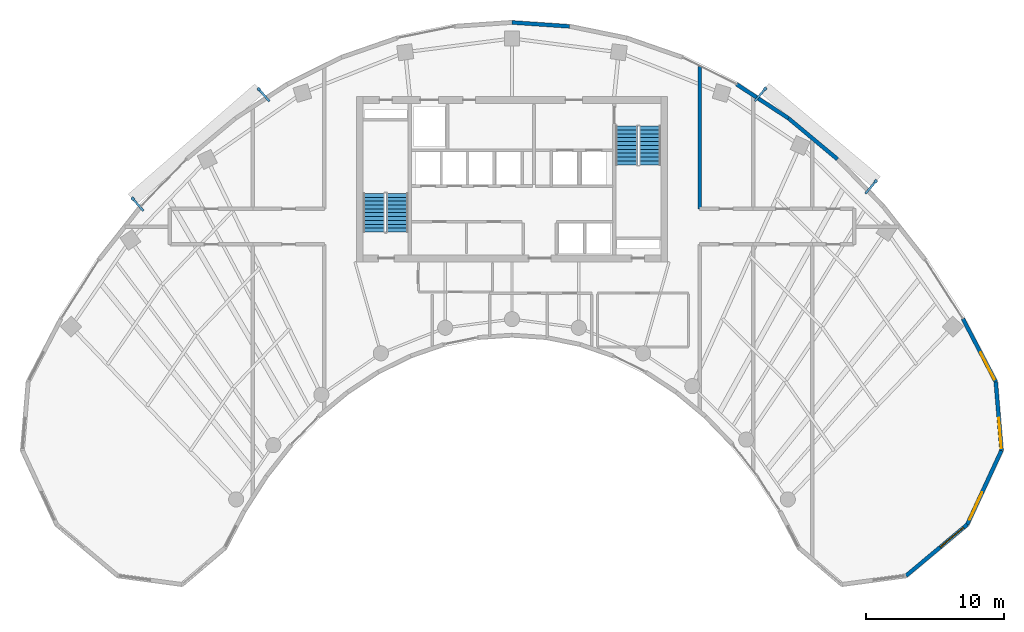
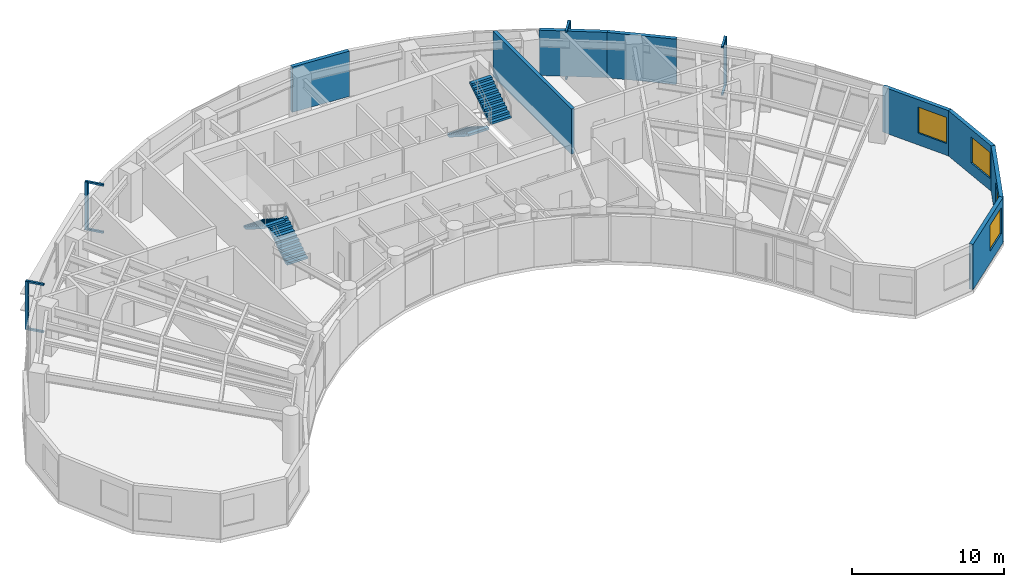
# One storey, part 11 of 13: 12 discrete accessories, 8 walls, 4 stair flights, 4 windows, 4 openings, 2 elements without a shape of their own.
"""IFC4 building model written with IfcOpenShell, lengths in metres."""

import ifcopenshell
import ifcopenshell.guid

model = None  # the IFC model being written
_history = None  # IfcOwnerHistory: only IFC2X3 demands one
_inside = {}  # id of a spatial element -> (the spatial element, [elements in it])
_under = {}  # id of a project, library or spatial element -> (it, [spatial elements below it])
_declared = {}  # id of a project -> (the project, [libraries it declares])
_typed = {}  # id of a type object -> (the type object, [elements of that type])
_made_of = {}  # id of a material, layer set ... -> (it, [elements and type objects made of it])


def new_model(schema):
    """Start an empty IFC model of exactly this schema.

    Asked for "IFC4X3", IfcOpenShell would pick the latest addendum, in which some entities
    have other attributes; the version numbers below select the first issue.
    IFC2X3 requires an IfcOwnerHistory on every rooted entity: one is made here for all.
    """
    global model, _history
    if schema == "IFC4X3":
        model = ifcopenshell.file(schema_version=(4, 3, 0, 0))
    else:
        model = ifcopenshell.file(schema=schema)
    _inside.clear()
    _under.clear()
    _declared.clear()
    _typed.clear()
    _made_of.clear()
    _history = None
    if model.schema == "IFC2X3":
        org = make("IfcOrganization", Name="unknown")
        user = make(
            "IfcPersonAndOrganization",
            ThePerson=make("IfcPerson", FamilyName="unknown"),
            TheOrganization=org,
        )
        app = make(
            "IfcApplication",
            ApplicationDeveloper=org,
            Version="unknown",
            ApplicationFullName="unknown",
            ApplicationIdentifier="unknown",
        )
        _history = make(
            "IfcOwnerHistory",
            OwningUser=user,
            OwningApplication=app,
            ChangeAction="ADDED",
            CreationDate=0,
        )
    return model


def make(cls, **values):
    """One entity of the class cls with the attributes given. An attribute that is None is left unset."""
    return model.create_entity(
        cls, **{name: value for name, value in values.items() if value is not None}
    )


def rooted(cls, **values):
    """An entity with a GlobalId (a new one), such as an element, a storey or a relation."""
    return make(cls, GlobalId=ifcopenshell.guid.new(), OwnerHistory=_history, **values)


def si_unit(unit_type, name, prefix=None):
    """IfcSIUnit, for example si_unit("LENGTHUNIT", "METRE", prefix="MILLI")."""
    return make("IfcSIUnit", UnitType=unit_type, Prefix=prefix, Name=name)


def assignment(units):
    """IfcUnitAssignment: the units of a project."""
    return None if units is None else make("IfcUnitAssignment", Units=units)


def point(xyz):
    """IfcCartesianPoint."""
    return None if xyz is None else make("IfcCartesianPoint", Coordinates=xyz)


def direction(xyz):
    """IfcDirection."""
    return None if xyz is None else make("IfcDirection", DirectionRatios=xyz)


def frame(location, z_axis=None, x_axis=None):
    """IfcAxis2Placement3D, a coordinate frame: its origin and axes. An axis left out is left unset."""
    return make(
        "IfcAxis2Placement3D",
        Location=point(location),
        Axis=direction(z_axis),
        RefDirection=direction(x_axis),
    )


def frame_2d(location, x_axis=None):
    """IfcAxis2Placement2D, a coordinate frame in the plane: its origin and x axis."""
    return make(
        "IfcAxis2Placement2D", Location=point(location), RefDirection=direction(x_axis)
    )


def origin():
    """The frame at (0, 0, 0) with its axes left unset."""
    return frame((0.0, 0.0, 0.0))


def origin_2d():
    """The frame at (0, 0) in the plane with its x axis left unset."""
    return frame_2d((0.0, 0.0))


def place(relative_to, where):
    """IfcLocalPlacement: puts the frame where relative to a parent placement (None: the world)."""
    return make(
        "IfcLocalPlacement", PlacementRelTo=relative_to, RelativePlacement=where
    )


def context(
    kind, dimensions, precision=None, world=None, true_north=None, identifier=None
):
    """IfcGeometricRepresentationContext, for example the 3D "Model" context."""
    return make(
        "IfcGeometricRepresentationContext",
        ContextIdentifier=identifier,
        ContextType=kind,
        CoordinateSpaceDimension=dimensions,
        Precision=precision,
        WorldCoordinateSystem=world,
        TrueNorth=true_north,
    )


def subcontext(parent, identifier, kind, view, scale=None):
    """IfcGeometricRepresentationSubContext, for example "Body" below "Model"."""
    return make(
        "IfcGeometricRepresentationSubContext",
        ContextIdentifier=identifier,
        ContextType=kind,
        ParentContext=parent,
        TargetScale=scale,
        TargetView=view,
    )


def project(units=None, contexts=None):
    """IfcProject with its units and contexts."""
    return rooted(
        "IfcProject",
        Name="project",
        RepresentationContexts=contexts,
        UnitsInContext=assignment(units),
    )


def spatial(cls, under=None, at=None, **own):
    """A site, building, storey or space (cls), placed at a placement, below another one or the project."""
    s = rooted(cls, ObjectPlacement=at, **own)
    if under is not None:
        _under.setdefault(under.id(), (under, []))[1].append(s)
    return s


def polyline(points):
    """IfcPolyline through the points."""
    return make("IfcPolyline", Points=[point(p) for p in points])


def profile(cls, at=None, kind="AREA", **sizes):
    """A parametric profile (cls). Its sizes go by their IFC names, for example OverallWidth=200.0."""
    return make(cls, ProfileType=kind, Position=at, **sizes)


def rectangle(**sizes):
    """IfcRectangleProfileDef."""
    return profile("IfcRectangleProfileDef", **sizes)


def outline(outer, holes=None, kind="AREA"):
    """IfcArbitraryClosedProfileDef: a profile drawn as a closed curve; with holes, ...WithVoids."""
    if holes is None:
        return make("IfcArbitraryClosedProfileDef", ProfileType=kind, OuterCurve=outer)
    return make(
        "IfcArbitraryProfileDefWithVoids",
        ProfileType=kind,
        OuterCurve=outer,
        InnerCurves=holes,
    )


def extrude(swept, where, along, depth):
    """IfcExtrudedAreaSolid: the profile swept, set in the frame where, extruded along a direction by depth."""
    return make(
        "IfcExtrudedAreaSolid",
        SweptArea=swept,
        Position=where,
        ExtrudedDirection=direction(along),
        Depth=depth,
    )


def shape(context_of_items, identifier, shape_type, items):
    """IfcShapeRepresentation: the items that make up one representation, for example the "Body"."""
    return make(
        "IfcShapeRepresentation",
        ContextOfItems=context_of_items,
        RepresentationIdentifier=identifier,
        RepresentationType=shape_type,
        Items=items,
    )


def source(mapping_origin, context_of_items, identifier, shape_type, items):
    """IfcRepresentationMap: a shape defined once, which mapped items show again and again."""
    return make(
        "IfcRepresentationMap",
        MappingOrigin=mapping_origin,
        MappedRepresentation=shape(context_of_items, identifier, shape_type, items),
    )


def transform(
    local_origin,
    x_axis=None,
    y_axis=None,
    z_axis=None,
    scale=None,
    scale2=None,
    scale3=None,
    uniform=True,
):
    """IfcCartesianTransformationOperator3D, or its non-uniform kind. x_axis, y_axis, z_axis: its Axis1, 2, 3."""
    if uniform:
        return make(
            "IfcCartesianTransformationOperator3D",
            Axis1=direction(x_axis),
            Axis2=direction(y_axis),
            LocalOrigin=point(local_origin),
            Scale=scale,
            Axis3=direction(z_axis),
        )
    return make(
        "IfcCartesianTransformationOperator3DnonUniform",
        Axis1=direction(x_axis),
        Axis2=direction(y_axis),
        LocalOrigin=point(local_origin),
        Scale=scale,
        Axis3=direction(z_axis),
        Scale2=scale2,
        Scale3=scale3,
    )


def mapped(mapping_source, mapping_target):
    """IfcMappedItem: shows the shape of a source again, moved by a transform."""
    return make(
        "IfcMappedItem", MappingSource=mapping_source, MappingTarget=mapping_target
    )


def material(Name=None, Category=None):
    """IfcMaterial."""
    return make("IfcMaterial", Name=Name, Category=Category)


def layer(
    of_material, thickness, ventilated=None, Name=None, Category=None, Priority=None
):
    """IfcMaterialLayer: one layer of a wall or slab, of a material (None: an air gap)."""
    return make(
        "IfcMaterialLayer",
        Material=of_material,
        LayerThickness=thickness,
        IsVentilated=ventilated,
        Name=Name,
        Category=Category,
        Priority=Priority,
    )


def layer_set(layers, Name=None):
    """IfcMaterialLayerSet."""
    return make("IfcMaterialLayerSet", MaterialLayers=layers, LayerSetName=Name)


def made_of(thing, what):
    """Note that an element or type object is made of a material, layer set ...; save() writes the relation."""
    if what is not None:
        _made_of.setdefault(what.id(), (what, []))[1].append(thing)
    return thing


def type_object(cls, material=None, **own):
    """A type object (cls), such as IfcWallType, which elements share."""
    return made_of(rooted(cls, **own), material)


def type_shapes(of_type, sources):
    """Give a type object the sources (RepresentationMaps) that its elements show as mapped items."""
    of_type.RepresentationMaps = sources


def element(
    cls,
    number,
    at=None,
    inside=None,
    cuts=None,
    type_object=None,
    material=None,
    context=None,
    identifier="Body",
    shape_type=None,
    held_by="IfcProductDefinitionShape",
    body=None,
    shapes=None,
    **own,
):
    """One element of the class cls, such as IfcWall. Its Tag is "e" and its number.

    at: its placement. inside: the storey or other place that contains it. cuts: it is an
    opening in that element (IfcRelVoidsElement). A single representation is given by context,
    identifier, shape_type and body (its items); several are given by shapes. held_by: the class
    of the entity that holds the representations. save() writes the other relations.
    """
    e = rooted(cls, Tag="e%d" % number, ObjectPlacement=at, **own)
    if body is not None:
        shapes = [shape(context, identifier, shape_type, body)]
    if shapes is not None:
        e.Representation = make(held_by, Representations=shapes)
    if inside is not None:
        _inside.setdefault(inside.id(), (inside, []))[1].append(e)
    if cuts is not None:
        rooted(
            "IfcRelVoidsElement", RelatingBuildingElement=cuts, RelatedOpeningElement=e
        )
    if type_object is not None:
        _typed.setdefault(type_object.id(), (type_object, []))[1].append(e)
    return made_of(e, material)


def fill(opening, filler):
    """IfcRelFillsElement: the door or window that sits in an opening."""
    return rooted(
        "IfcRelFillsElement",
        RelatingOpeningElement=opening,
        RelatedBuildingElement=filler,
    )


def aggregate(whole, parts):
    """IfcRelAggregates: a whole, such as a stair, and the parts it consists of."""
    return rooted("IfcRelAggregates", RelatingObject=whole, RelatedObjects=parts)


def save(model, path):
    """Write the relations noted so far, then the file.

    IfcRelAggregates (storeys below a building ...), IfcRelContainedInSpatialStructure (elements
    in a storey), IfcRelDefinesByType, IfcRelAssociatesMaterial and IfcRelDeclares: one each for
    every whole, place, type object, material and project.
    """
    for whole, parts in _under.values():
        aggregate(whole, parts)
    for where, things in _inside.values():
        rooted(
            "IfcRelContainedInSpatialStructure",
            RelatedElements=things,
            RelatingStructure=where,
        )
    for kind, things in _typed.values():
        rooted("IfcRelDefinesByType", RelatedObjects=things, RelatingType=kind)
    for what, things in _made_of.values():
        rooted("IfcRelAssociatesMaterial", RelatedObjects=things, RelatingMaterial=what)
    for by, libraries in _declared.values():
        rooted("IfcRelDeclares", RelatingContext=by, RelatedDefinitions=libraries)
    model.write(path)


model = new_model("IFC4")

# Units and contexts
model_context = context("Model", 3, precision=1e-05, world=origin(), true_north=direction((0.0, 1.0)))
body_context = subcontext(model_context, "Body", "Model", "MODEL_VIEW")
ifc_project = project(units=[si_unit("LENGTHUNIT", "METRE"), si_unit("AREAUNIT", "SQUARE_METRE"), si_unit("VOLUMEUNIT", "CUBIC_METRE"), si_unit("PLANEANGLEUNIT", "RADIAN"), si_unit("MASSUNIT", "GRAM", prefix="KILO")], contexts=[model_context])

# Site, building, storey
site_placement = place(None, origin())
site = spatial("IfcSite", under=ifc_project, at=site_placement, CompositionType="ELEMENT")
building_placement = place(site_placement, origin())
building = spatial("IfcBuilding", under=site, at=building_placement, Name="Breltana Convention Tower", CompositionType="ELEMENT")
storey_placement = place(building_placement, frame((0.0, 0.0, 181.800048828125)))
storey = spatial("IfcBuildingStorey", under=building, at=storey_placement, Name="L44", CompositionType="ELEMENT", Elevation=181.800048828125)

# Wall, opening, window
ifc_material_1 = material(Name="Limestone Buff Insulated Wall", Category="masonry")
ifc_layer_1 = layer(ifc_material_1, 0.280029296875, Name="Limestone Buff Insulated Wall")
ifc_layer_set_1 = layer_set([ifc_layer_1], Name="Limestone Buff Insulated Wall")
wall_type_1 = type_object("IfcWallType", Name="WL-EXT-NOSE-280", PredefinedType="SOLIDWALL", material=ifc_layer_set_1)
shared_shape_1 = source(origin(), body_context, "Body", "SweptSolid", [
    extrude(rectangle(XDim=4.994384765625, YDim=0.280029296875, at=frame_2d((2.4970703125, 0.0))), origin(), (0.0, 0.0, 1.0), 3.64990234375),
])
wall_1_placement = place(storey_placement, frame((83.102294921875, 51.48876953125, 0.0), z_axis=(0.0, 0.0, 1.0), x_axis=(0.083344839916, -0.996520766296, 0.0)))
wall_1 = element("IfcWall", 1, at=wall_1_placement, inside=storey, type_object=wall_type_1, Name="L44 curved limestone nose wall E1", PredefinedType="SOLIDWALL", context=body_context, shape_type="MappedRepresentation", body=[
    mapped(shared_shape_1, transform((0.0, 0.0, 0.0), scale=1.0)),
])
opening_1_placement = place(wall_1_placement, frame((2.634521484375, 0.0, 0.949951171875)))
opening_1 = element("IfcOpeningElement", 2, at=opening_1_placement, cuts=wall_1, Name="Opening W-03", PredefinedType="OPENING", context=body_context, shape_type="SweptSolid", body=[
    extrude(rectangle(XDim=2.199951171875, YDim=2.10009765625, at=frame_2d((1.10009765625, 1.050048828125))), frame((0.0, 0.14990234375, 0.0), z_axis=(0.0, -1.0, 0.0), x_axis=(1.0, 0.0, 0.0)), (0.0, 0.0, 1.0), 0.300048828125),
])
ifc_material_2 = material(Name="Glass Low-E Insulated Window", Category="glass")
window_type = type_object("IfcWindowType", Name="WN-NOSE-2200X2100", PartitioningType="TRIPLE_PANEL_VERTICAL", PredefinedType="WINDOW", material=ifc_material_2)
shared_shape_2 = source(origin(), body_context, "Body", "SweptSolid", [
    extrude(rectangle(XDim=2.199951171875, YDim=2.10009765625, at=frame_2d((1.10009765625, 1.050048828125))), frame((0.0, 0.030029296875, 0.0), z_axis=(0.0, -1.0, 0.0), x_axis=(1.0, 0.0, 0.0)), (0.0, 0.0, 1.0), 0.06005859375),
])
type_shapes(window_type, [shared_shape_2])
window_1_placement = place(opening_1_placement, origin())
window_1 = element("IfcWindow", 3, at=window_1_placement, inside=storey, type_object=window_type, Name="L44 nose window E1", OverallHeight=2.10009765625, OverallWidth=2.199951171875, PartitioningType="TRIPLE_PANEL_VERTICAL", PredefinedType="WINDOW", context=body_context, shape_type="MappedRepresentation", body=[
    mapped(shared_shape_2, transform((0.0, 0.0, 0.0), scale=1.0)),
])
fill(opening_1, window_1)

shared_shape_3 = source(origin(), body_context, "Body", "SweptSolid", [
    extrude(rectangle(XDim=5.927490234375, YDim=0.280029296875, at=frame_2d((2.9638671875, 0.0))), origin(), (0.0, 0.0, 1.0), 3.64990234375),
])
wall_2_placement = place(storey_placement, frame((83.5185546875, 46.51171875, 0.0), z_axis=(0.0, 0.0, 1.0), x_axis=(-0.419656204795, -0.907683132914, 0.0)))
wall_2 = element("IfcWall", 4, at=wall_2_placement, inside=storey, type_object=wall_type_1, Name="L44 curved limestone nose wall E2", PredefinedType="SOLIDWALL", context=body_context, shape_type="MappedRepresentation", body=[
    mapped(shared_shape_3, transform((0.0, 0.0, 0.0), scale=1.0)),
])
opening_2_placement = place(wall_2_placement, frame((3.345703125, 0.0, 0.949951171875)))
opening_2 = element("IfcOpeningElement", 5, at=opening_2_placement, cuts=wall_2, Name="Opening W-03", PredefinedType="OPENING", context=body_context, shape_type="SweptSolid", body=[
    extrude(rectangle(XDim=2.199951171875, YDim=2.10009765625, at=frame_2d((1.10009765625, 1.050048828125))), frame((0.0, 0.14990234375, 0.0), z_axis=(0.0, -1.0, 0.0), x_axis=(1.0, 0.0, 0.0)), (0.0, 0.0, 1.0), 0.300048828125),
])
window_2_placement = place(opening_2_placement, origin())
window_2 = element("IfcWindow", 6, at=window_2_placement, inside=storey, type_object=window_type, Name="L44 nose window E2", OverallHeight=2.10009765625, OverallWidth=2.199951171875, PartitioningType="TRIPLE_PANEL_VERTICAL", PredefinedType="WINDOW", context=body_context, shape_type="MappedRepresentation", body=[
    mapped(shared_shape_2, transform((0.0, 0.0, 0.0), scale=1.0)),
])
fill(opening_2, window_2)

shared_shape_4 = source(origin(), body_context, "Body", "SweptSolid", [
    extrude(rectangle(XDim=5.786376953125, YDim=0.280029296875, at=frame_2d((2.89306640625, 0.0))), origin(), (0.0, 0.0, 1.0), 3.64990234375),
])
wall_3_placement = place(storey_placement, frame((81.031005859375, 41.13134765625, 0.0), z_axis=(0.0, 0.0, 1.0), x_axis=(-0.766711306852, -0.641992034176, 0.0)))
wall_3 = element("IfcWall", 7, at=wall_3_placement, inside=storey, type_object=wall_type_1, Name="L44 curved limestone nose wall E3", PredefinedType="SOLIDWALL", context=body_context, shape_type="MappedRepresentation", body=[
    mapped(shared_shape_4, transform((0.0, 0.0, 0.0), scale=1.0)),
])
opening_3_placement = place(wall_3_placement, frame((0.3466796875, 0.0, 0.949951171875)))
opening_3 = element("IfcOpeningElement", 8, at=opening_3_placement, cuts=wall_3, Name="Opening W-03", PredefinedType="OPENING", context=body_context, shape_type="SweptSolid", body=[
    extrude(rectangle(XDim=2.199951171875, YDim=2.10009765625, at=frame_2d((1.10009765625, 1.050048828125))), frame((0.0, 0.14990234375, 0.0), z_axis=(0.0, -1.0, 0.0), x_axis=(1.0, 0.0, 0.0)), (0.0, 0.0, 1.0), 0.300048828125),
])
window_3_placement = place(opening_3_placement, origin())
window_3 = element("IfcWindow", 9, at=window_3_placement, inside=storey, type_object=window_type, Name="L44 nose window E3", OverallHeight=2.10009765625, OverallWidth=2.199951171875, PartitioningType="TRIPLE_PANEL_VERTICAL", PredefinedType="WINDOW", context=body_context, shape_type="MappedRepresentation", body=[
    mapped(shared_shape_2, transform((0.0, 0.0, 0.0), scale=1.0)),
])
fill(opening_3, window_3)

shared_shape_5 = source(origin(), body_context, "Body", "SweptSolid", [
    extrude(rectangle(XDim=5.1708984375, YDim=0.280029296875, at=frame_2d((2.58544921875, 0.0))), origin(), (0.0, 0.0, 1.0), 3.64990234375),
])
wall_4_placement = place(storey_placement, frame((80.714599609375, 56.075439453125, 0.0), z_axis=(0.0, 0.0, 1.0), x_axis=(0.461752581363, -0.887008767491, 0.0)))
wall_4 = element("IfcWall", 10, at=wall_4_placement, inside=storey, type_object=wall_type_1, Name="L44 curved limestone nose wall E33", PredefinedType="SOLIDWALL", context=body_context, shape_type="MappedRepresentation", body=[
    mapped(shared_shape_5, transform((0.0, 0.0, 0.0), scale=1.0)),
])
opening_4_placement = place(wall_4_placement, frame((2.7783203125, 0.0, 0.949951171875)))
opening_4 = element("IfcOpeningElement", 11, at=opening_4_placement, cuts=wall_4, Name="Opening W-03", PredefinedType="OPENING", context=body_context, shape_type="SweptSolid", body=[
    extrude(rectangle(XDim=2.199951171875, YDim=2.10009765625, at=frame_2d((1.10009765625, 1.050048828125))), frame((0.0, 0.14990234375, 0.0), z_axis=(0.0, -1.0, 0.0), x_axis=(1.0, 0.0, 0.0)), (0.0, 0.0, 1.0), 0.300048828125),
])
window_4_placement = place(opening_4_placement, origin())
window_4 = element("IfcWindow", 12, at=window_4_placement, inside=storey, type_object=window_type, Name="L44 nose window E33", OverallHeight=2.10009765625, OverallWidth=2.199951171875, PartitioningType="TRIPLE_PANEL_VERTICAL", PredefinedType="WINDOW", context=body_context, shape_type="MappedRepresentation", body=[
    mapped(shared_shape_2, transform((0.0, 0.0, 0.0), scale=1.0)),
])
fill(opening_4, window_4)

# Walls
shared_shape_6 = source(origin(), body_context, "Body", "SweptSolid", [
    extrude(rectangle(XDim=4.633544921875, YDim=0.280029296875, at=frame_2d((2.31689453125, 0.0))), origin(), (0.0, 0.0, 1.0), 3.64990234375),
])
wall_5_placement = place(storey_placement, frame((68.060791015625, 70.610107421875, 0.0), z_axis=(0.0, 0.0, 1.0), x_axis=(0.767910229096, -0.640557475993, 0.0)))
element("IfcWall", 13, at=wall_5_placement, inside=storey, type_object=wall_type_1, Name="L44 curved limestone nose wall E30", PredefinedType="SOLIDWALL", context=body_context, shape_type="MappedRepresentation", body=[
    mapped(shared_shape_6, transform((0.0, 0.0, 0.0), scale=1.0)),
])
shared_shape_7 = source(origin(), body_context, "Body", "SweptSolid", [
    extrude(rectangle(XDim=4.500732421875, YDim=0.280029296875, at=frame_2d((2.25048828125, 0.0))), origin(), (0.0, 0.0, 1.0), 3.64990234375),
])
wall_6_placement = place(storey_placement, frame((64.29833984375, 73.079833984375, 0.0), z_axis=(0.0, 0.0, 1.0), x_axis=(0.835984920737, -0.548752414391, 0.0)))
element("IfcWall", 14, at=wall_6_placement, inside=storey, type_object=wall_type_1, Name="L44 curved limestone nose wall E29", PredefinedType="SOLIDWALL", context=body_context, shape_type="MappedRepresentation", body=[
    mapped(shared_shape_7, transform((0.0, 0.0, 0.0), scale=1.0)),
])
shared_shape_8 = source(origin(), body_context, "Body", "SweptSolid", [
    extrude(rectangle(XDim=4.189208984375, YDim=0.280029296875, at=frame_2d((2.0947265625, 0.0))), origin(), (0.0, 0.0, 1.0), 3.64990234375),
])
wall_7_placement = place(storey_placement, frame((48.0, 77.563720703125, 0.0), z_axis=(0.0, 0.0, 1.0), x_axis=(0.997700560699, -0.067776036921, 0.0)))
element("IfcWall", 15, at=wall_7_placement, inside=storey, type_object=wall_type_1, Name="L44 curved limestone nose wall E26", PredefinedType="SOLIDWALL", context=body_context, shape_type="MappedRepresentation", body=[
    mapped(shared_shape_8, transform((0.0, 0.0, 0.0), scale=1.0)),
])
ifc_material_3 = material(Name="Gypsum Acoustic Double Stud Wall")
ifc_layer_2 = layer(ifc_material_3, 0.25, Name="Gypsum Acoustic Double Stud Wall")
ifc_layer_set_2 = layer_set([ifc_layer_2], Name="Gypsum Acoustic Double Stud Wall")
wall_type_2 = type_object("IfcWallType", Name="WL-ACOUSTIC-250", PredefinedType="PARTITIONING", material=ifc_layer_set_2)
shared_shape_9 = source(origin(), body_context, "Body", "SweptSolid", [
    extrude(rectangle(XDim=10.346435546875, YDim=0.25, at=frame_2d((5.17333984375, 0.0))), origin(), (0.0, 0.0, 1.0), 3.64990234375),
])
wall_8_placement = place(storey_placement, frame((61.639892578125, 64.0400390625, 0.0), z_axis=(0.0, 0.0, 1.0), x_axis=(0.0, 1.0, 0.0)))
element("IfcWall", 16, at=wall_8_placement, inside=storey, type_object=wall_type_2, Name="L44 interior partition W-L44-ZODD-EN", PredefinedType="PARTITIONING", context=body_context, shape_type="MappedRepresentation", body=[
    mapped(shared_shape_9, transform((0.0, 0.0, 0.0), scale=1.0)),
])

# Stair, stair flights
ifc_material_4 = material(Name="Concrete C40/50", Category="concrete")
stair_type = type_object("IfcStairType", Name="ST-DOG-1560-R177", PredefinedType="HALF_TURN_STAIR", material=ifc_material_4)
stair_1_placement = place(storey_placement, origin())
stair_1 = element("IfcStair", 17, at=stair_1_placement, inside=storey, type_object=stair_type, Name="L44 Protected Core Exit Stair ST-1", PredefinedType="HALF_TURN_STAIR")
stair_flight_type = type_object("IfcStairFlightType", Name="STF-DOG-1560-N11-R177", PredefinedType="STRAIGHT", material=ifc_material_4)
stair_flight_1_placement = place(storey_placement, frame((39.68994140625, 62.360107421875, 0.0), z_axis=(0.0, 0.0, 1.0), x_axis=(0.0, 1.0, 0.0)))
stair_flight_1 = element("IfcStairFlight", 18, at=stair_flight_1_placement, type_object=stair_flight_type, Name="ST-1 flight 1", NumberOfRisers=11, NumberOfTreads=10, PredefinedType="STRAIGHT", RiserHeight=0.177272727, TreadLength=0.28, context=body_context, shape_type="SweptSolid", body=[
    extrude(outline(polyline([(0.0, 0.0), (0.0, 0.17724609375), (0.280029296875, 0.17724609375), (0.280029296875, 0.3544921875), (0.56005859375, 0.3544921875), (0.56005859375, 0.53173828125), (0.840087890625, 0.53173828125), (0.840087890625, 0.708984375), (1.1201171875, 0.708984375), (1.1201171875, 0.886474609375), (1.39990234375, 0.886474609375), (1.39990234375, 1.063720703125), (1.679931640625, 1.063720703125), (1.679931640625, 1.240966796875), (1.9599609375, 1.240966796875), (1.9599609375, 1.418212890625), (2.239990234375, 1.418212890625), (2.239990234375, 1.595458984375), (2.52001953125, 1.595458984375), (2.52001953125, 1.772705078125), (2.800048828125, 1.772705078125), (2.800048828125, 1.949951171875), (2.800048828125, 1.59521484375), (0.2802734375, 0.0), (0.0, 0.0)])), frame((0.0, 0.780029296875, 0.0), z_axis=(0.0, -1.0, 0.0), x_axis=(1.0, 0.0, 0.0)), (0.0, 0.0, 1.0), 1.56005859375),
])
stair_flight_2_placement = place(storey_placement, frame((37.97998046875, 65.159912109375, 1.949951171875), z_axis=(0.0, 0.0, 1.0), x_axis=(0.0, -1.0, 0.0)))
stair_flight_2 = element("IfcStairFlight", 19, at=stair_flight_2_placement, type_object=stair_flight_type, Name="ST-1 flight 2", NumberOfRisers=11, NumberOfTreads=10, PredefinedType="STRAIGHT", RiserHeight=0.177272727, TreadLength=0.28, context=body_context, shape_type="SweptSolid", body=[
    extrude(outline(polyline([(0.0, 0.0), (0.0, 0.17724609375), (0.280029296875, 0.17724609375), (0.280029296875, 0.3544921875), (0.56005859375, 0.3544921875), (0.56005859375, 0.53173828125), (0.840087890625, 0.53173828125), (0.840087890625, 0.708984375), (1.1201171875, 0.708984375), (1.1201171875, 0.886474609375), (1.39990234375, 0.886474609375), (1.39990234375, 1.063720703125), (1.679931640625, 1.063720703125), (1.679931640625, 1.240966796875), (1.9599609375, 1.240966796875), (1.9599609375, 1.418212890625), (2.239990234375, 1.418212890625), (2.239990234375, 1.595458984375), (2.52001953125, 1.595458984375), (2.52001953125, 1.772705078125), (2.800048828125, 1.772705078125), (2.800048828125, 1.949951171875), (2.800048828125, 1.59521484375), (0.2802734375, 0.0), (0.0, 0.0)])), frame((0.0, 0.780029296875, 0.0), z_axis=(0.0, -1.0, 0.0), x_axis=(1.0, 0.0, 0.0)), (0.0, 0.0, 1.0), 1.56005859375),
])
aggregate(stair_1, [stair_flight_1, stair_flight_2])

stair_2_placement = place(storey_placement, origin())
stair_2 = element("IfcStair", 20, at=stair_2_placement, inside=storey, type_object=stair_type, Name="L44 Protected Core Exit Stair ST-2", PredefinedType="HALF_TURN_STAIR")
stair_flight_3_placement = place(storey_placement, frame((56.31005859375, 70.0400390625, 0.0), z_axis=(0.0, 0.0, 1.0), x_axis=(0.0, -1.0, 0.0)))
stair_flight_3 = element("IfcStairFlight", 21, at=stair_flight_3_placement, type_object=stair_flight_type, Name="ST-2 flight 1", NumberOfRisers=11, NumberOfTreads=10, PredefinedType="STRAIGHT", RiserHeight=0.177272727, TreadLength=0.28, context=body_context, shape_type="SweptSolid", body=[
    extrude(outline(polyline([(0.0, 0.0), (0.0, 0.17724609375), (0.280029296875, 0.17724609375), (0.280029296875, 0.3544921875), (0.56005859375, 0.3544921875), (0.56005859375, 0.53173828125), (0.840087890625, 0.53173828125), (0.840087890625, 0.708984375), (1.1201171875, 0.708984375), (1.1201171875, 0.886474609375), (1.39990234375, 0.886474609375), (1.39990234375, 1.063720703125), (1.679931640625, 1.063720703125), (1.679931640625, 1.240966796875), (1.9599609375, 1.240966796875), (1.9599609375, 1.418212890625), (2.239990234375, 1.418212890625), (2.239990234375, 1.595458984375), (2.52001953125, 1.595458984375), (2.52001953125, 1.772705078125), (2.800048828125, 1.772705078125), (2.800048828125, 1.949951171875), (2.800048828125, 1.59521484375), (0.2802734375, 0.0), (0.0, 0.0)])), frame((0.0, 0.780029296875, 0.0), z_axis=(0.0, -1.0, 0.0), x_axis=(1.0, 0.0, 0.0)), (0.0, 0.0, 1.0), 1.56005859375),
])
stair_flight_4_placement = place(storey_placement, frame((58.02001953125, 67.239990234375, 1.949951171875), z_axis=(0.0, 0.0, 1.0), x_axis=(0.0, 1.0, 0.0)))
stair_flight_4 = element("IfcStairFlight", 22, at=stair_flight_4_placement, type_object=stair_flight_type, Name="ST-2 flight 2", NumberOfRisers=11, NumberOfTreads=10, PredefinedType="STRAIGHT", RiserHeight=0.177272727, TreadLength=0.28, context=body_context, shape_type="SweptSolid", body=[
    extrude(outline(polyline([(0.0, 0.0), (0.0, 0.17724609375), (0.280029296875, 0.17724609375), (0.280029296875, 0.3544921875), (0.56005859375, 0.3544921875), (0.56005859375, 0.53173828125), (0.840087890625, 0.53173828125), (0.840087890625, 0.708984375), (1.1201171875, 0.708984375), (1.1201171875, 0.886474609375), (1.39990234375, 0.886474609375), (1.39990234375, 1.063720703125), (1.679931640625, 1.063720703125), (1.679931640625, 1.240966796875), (1.9599609375, 1.240966796875), (1.9599609375, 1.418212890625), (2.239990234375, 1.418212890625), (2.239990234375, 1.595458984375), (2.52001953125, 1.595458984375), (2.52001953125, 1.772705078125), (2.800048828125, 1.772705078125), (2.800048828125, 1.949951171875), (2.800048828125, 1.59521484375), (0.2802734375, 0.0), (0.0, 0.0)])), frame((0.0, 0.780029296875, 0.0), z_axis=(0.0, -1.0, 0.0), x_axis=(1.0, 0.0, 0.0)), (0.0, 0.0, 1.0), 1.56005859375),
])
aggregate(stair_2, [stair_flight_3, stair_flight_4])

# Discrete accessories
ifc_material_5 = material(Name="Steel S355", Category="steel")
discrete_accessory_type_1 = type_object("IfcDiscreteAccessoryType", Name="ACC-DSF-BRACKET-150", PredefinedType="BRACKET", material=ifc_material_5)
shared_shape_10 = source(origin(), body_context, "Body", "SweptSolid", [
    extrude(rectangle(XDim=1.239990234375, YDim=0.14990234375, at=origin_2d()), origin(), (0.0, 0.0, 1.0), 0.139892578125),
])
type_shapes(discrete_accessory_type_1, [shared_shape_10])
for number, where, z_axis, x_axis, name in (
    (23, (20.849853515625, 64.353271484375, -0.16015625), (0.0, 0.0, 1.0), (-0.65645558996, 0.754364672032, 0.0), "L44 double-skin slab stand-off bracket 1.1B"),
    (24, (20.849853515625, 64.353271484375, 3.64990234375), (0.0, 0.0, 1.0), (-0.65645558996, 0.754364672032, 0.0), "L44 double-skin slab stand-off bracket 1.1T"),
    (25, (29.988525390625, 72.305908203125, -0.16015625), (0.0, 0.0, 1.0), (-0.65645558996, 0.754364672032, 0.0), "L44 double-skin slab stand-off bracket 1.2B"),
    (26, (29.988525390625, 72.305908203125, 3.64990234375), (0.0, 0.0, 1.0), (-0.65645558996, 0.754364672032, 0.0), "L44 double-skin slab stand-off bracket 1.2T"),
    (27, (66.019287109375, 72.327880859375, -0.16015625), (0.0, 0.0, 1.0), (0.641989340657, 0.766713562214, 0.0), "L44 double-skin slab stand-off bracket 2.1B"),
    (28, (66.019287109375, 72.327880859375, 3.64990234375), (0.0, 0.0, 1.0), (0.641989340657, 0.766713562214, 0.0), "L44 double-skin slab stand-off bracket 2.1T"),
    (29, (74.037841796875, 65.61376953125, -0.16015625), (0.0, 0.0, 1.0), (0.641989340657, 0.766713562214, 0.0), "L44 double-skin slab stand-off bracket 2.2B"),
    (30, (74.037841796875, 65.61376953125, 3.64990234375), (0.0, 0.0, 1.0), (0.641989340657, 0.766713562214, 0.0), "L44 double-skin slab stand-off bracket 2.2T"),
):
    element("IfcDiscreteAccessory", number, at=place(storey_placement, frame(where, z_axis=z_axis, x_axis=x_axis)), inside=storey, type_object=discrete_accessory_type_1, Name=name, PredefinedType="BRACKET", context=body_context, shape_type="MappedRepresentation", body=[
        mapped(shared_shape_10, transform((0.0, 0.0, 0.0), scale=1.0)),
    ])
discrete_accessory_type_2 = type_object("IfcDiscreteAccessoryType", Name="ACC-DSF-CARRIER-150", PredefinedType="BRACKET", material=ifc_material_5)
shared_shape_11 = source(origin(), body_context, "Body", "SweptSolid", [
    extrude(rectangle(XDim=0.219970703125, YDim=0.219970703125, at=origin_2d()), origin(), (0.0, 0.0, 1.0), 3.8701171875),
])
for number, where, z_axis, x_axis, name in (
    (31, (20.482177734375, 64.77587890625, -0.1201171875), (0.0, 0.0, 1.0), (-0.65645558996, 0.754364672032, 0.0), "L44 double-skin outer vertical carrier 1.1"),
    (32, (29.620849609375, 72.728271484375, -0.1201171875), (0.0, 0.0, 1.0), (-0.65645558996, 0.754364672032, 0.0), "L44 double-skin outer vertical carrier 1.2"),
    (33, (66.37890625, 72.757080078125, -0.1201171875), (0.0, 0.0, 1.0), (0.641989340657, 0.766713562214, 0.0), "L44 double-skin outer vertical carrier 2.1"),
    (34, (74.3974609375, 66.043212890625, -0.1201171875), (0.0, 0.0, 1.0), (0.641989340657, 0.766713562214, 0.0), "L44 double-skin outer vertical carrier 2.2"),
):
    element("IfcDiscreteAccessory", number, at=place(storey_placement, frame(where, z_axis=z_axis, x_axis=x_axis)), inside=storey, type_object=discrete_accessory_type_2, Name=name, PredefinedType="BRACKET", context=body_context, shape_type="MappedRepresentation", body=[
        mapped(shared_shape_11, transform((0.0, 0.0, 0.0), scale=1.0)),
    ])

save(model, "model.ifc")
